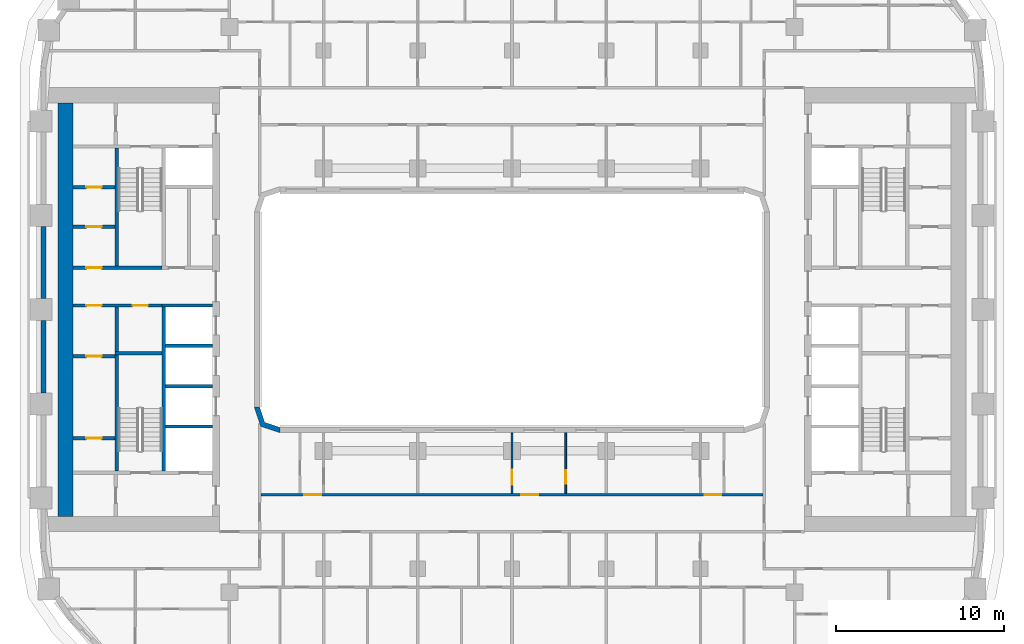
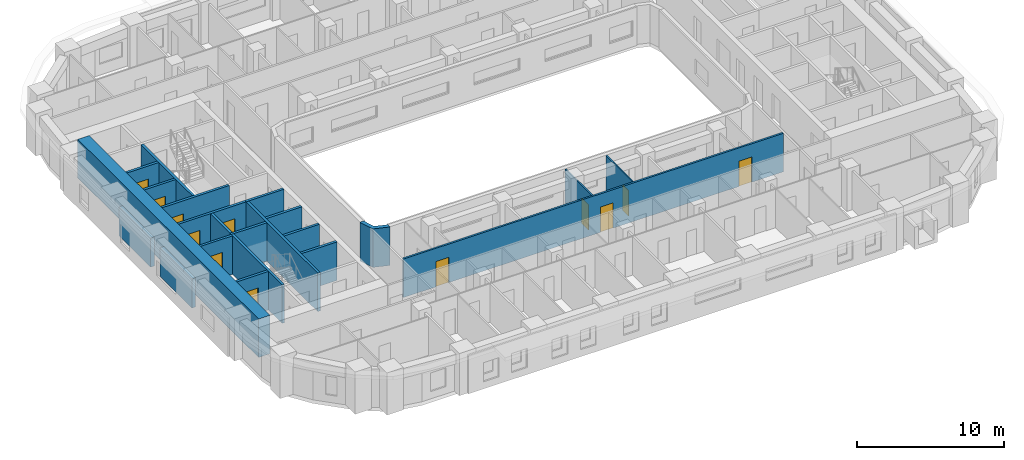
# One storey, part 4 of 23: 22 walls, 12 doors, 12 openings.
"""IFC4 building model written with IfcOpenShell, lengths in metres."""

from ifc_helpers import new_model, si_unit, direction, frame, frame_2d, origin, place, context, subcontext, project, spatial, polyline, rectangle, outline, extrude, material, layer, layer_set, type_object, element, fill, save


model = new_model("IFC4")

# Units and contexts
model_context = context("Model", 3, precision=1e-05, world=origin(), true_north=direction((0.0, 1.0)))
body_context = subcontext(model_context, "Body", "Model", "MODEL_VIEW")
ifc_project = project(units=[si_unit("LENGTHUNIT", "METRE"), si_unit("AREAUNIT", "SQUARE_METRE"), si_unit("VOLUMEUNIT", "CUBIC_METRE"), si_unit("PLANEANGLEUNIT", "RADIAN"), si_unit("MASSUNIT", "GRAM", prefix="KILO")], contexts=[model_context])

# Site, building, storey
site_placement = place(None, origin())
site = spatial("IfcSite", under=ifc_project, at=site_placement, CompositionType="ELEMENT")
building_placement = place(site_placement, origin())
building = spatial("IfcBuilding", under=site, at=building_placement, Name="Kiln Ring Residences", CompositionType="ELEMENT")
storey_placement = place(building_placement, frame((0.0, 0.0, 86.800048828125)))
storey = spatial("IfcBuildingStorey", under=building, at=storey_placement, Name="L21", CompositionType="ELEMENT", Elevation=86.800048828125)

# Wall
ifc_material_1 = material(Name="Gypsum board on steel studs", Category="steel")
ifc_layer_1 = layer(ifc_material_1, 0.199951171875)
ifc_layer_set_1 = layer_set([ifc_layer_1], Name="CORE-PARTITION-200")
wall_type_1 = type_object("IfcWallType", Name="CORE-PARTITION-200", PredefinedType="PARTITIONING", material=ifc_layer_set_1)
wall_1_placement = place(storey_placement, frame((-23.5, -2.5, 0.0), z_axis=(0.0, 0.0, 1.0), x_axis=(0.0, 1.0, 0.0)))
element("IfcWall", 1, at=wall_1_placement, inside=storey, type_object=wall_type_1, Name="Core partition west L21 1", PredefinedType="PARTITIONING", context=body_context, shape_type="SweptSolid", body=[
    extrude(rectangle(XDim=2.64990234375, YDim=0.199951171875, at=frame_2d((1.324951171875, 0.0))), origin(), (0.0, 0.0, 1.0), 3.199951171875),
])

# Wall, openings, doors
wall_2_placement = place(storey_placement, frame((-20.800048828125, 0.25, 0.0), z_axis=(0.0, 0.0, 1.0), x_axis=(-1.0, 0.0, 0.0)))
wall_2 = element("IfcWall", 2, at=wall_2_placement, inside=storey, type_object=wall_type_1, Name="Core partition west L21 2", PredefinedType="PARTITIONING", context=body_context, shape_type="SweptSolid", body=[
    extrude(rectangle(XDim=5.300048828125, YDim=0.199951171875, at=frame_2d((2.64990234375, 0.0))), origin(), (0.0, 0.0, 1.0), 3.199951171875),
])
opening_1_placement = place(wall_2_placement, frame((0.85009765625, 0.0, 0.0)))
opening_1 = element("IfcOpeningElement", 3, at=opening_1_placement, cuts=wall_2, Name="Opening L21-CW15", PredefinedType="OPENING", context=body_context, shape_type="SweptSolid", body=[
    extrude(rectangle(XDim=0.89990234375, YDim=2.10009765625, at=frame_2d((0.449951171875, 1.050048828125))), frame((0.0, 0.10986328125, 0.0), z_axis=(0.0, -1.0, 0.0), x_axis=(1.0, 0.0, 0.0)), (0.0, 0.0, 1.0), 0.219970703125),
])
opening_2_placement = place(wall_2_placement, frame((3.60009765625, 0.0, 0.0)))
opening_2 = element("IfcOpeningElement", 4, at=opening_2_placement, cuts=wall_2, Name="Opening L21-CW18", PredefinedType="OPENING", context=body_context, shape_type="SweptSolid", body=[
    extrude(rectangle(XDim=0.89990234375, YDim=2.10009765625, at=frame_2d((0.449951171875, 1.050048828125))), frame((0.0, 0.10986328125, 0.0), z_axis=(0.0, -1.0, 0.0), x_axis=(1.0, 0.0, 0.0)), (0.0, 0.0, 1.0), 0.219970703125),
])
ifc_material_2 = material(Name="Steel door leaf", Category="steel")
door_type_1 = type_object("IfcDoorType", Name="CORE-DOOR-ROOM", OperationType="SINGLE_SWING_LEFT", PredefinedType="DOOR", material=ifc_material_2)
door_1_placement = place(opening_1_placement, origin())
door_1 = element("IfcDoor", 5, at=door_1_placement, inside=storey, type_object=door_type_1, Name="Cleaner's store L21-CW15", OperationType="SINGLE_SWING_LEFT", OverallHeight=2.10009765625, OverallWidth=0.89990234375, PredefinedType="DOOR", context=body_context, shape_type="SweptSolid", body=[
    extrude(rectangle(XDim=0.89990234375, YDim=2.10009765625, at=frame_2d((0.449951171875, 1.050048828125))), frame((0.0, 0.02490234375, 0.0), z_axis=(0.0, -1.0, 0.0), x_axis=(1.0, 0.0, 0.0)), (0.0, 0.0, 1.0), 0.050048828125),
])
fill(opening_1, door_1)
door_2_placement = place(opening_2_placement, origin())
door_2 = element("IfcDoor", 6, at=door_2_placement, inside=storey, type_object=door_type_1, Name="Battery room L21-CW18", OperationType="SINGLE_SWING_RIGHT", OverallHeight=2.10009765625, OverallWidth=0.89990234375, PredefinedType="DOOR", context=body_context, shape_type="SweptSolid", body=[
    extrude(rectangle(XDim=0.89990234375, YDim=2.10009765625, at=frame_2d((0.449951171875, 1.050048828125))), frame((0.0, 0.02490234375, 0.0), z_axis=(0.0, -1.0, 0.0), x_axis=(1.0, 0.0, 0.0)), (0.0, 0.0, 1.0), 0.050048828125),
])
fill(opening_2, door_2)

# Wall, opening, door
wall_3_placement = place(storey_placement, frame((-23.60009765625, -7.64990234375, 0.0), z_axis=(0.0, 0.0, 1.0), x_axis=(-1.0, 0.0, 0.0)))
wall_3 = element("IfcWall", 7, at=wall_3_placement, inside=storey, type_object=wall_type_1, Name="Core partition west L21 6", PredefinedType="PARTITIONING", context=body_context, shape_type="SweptSolid", body=[
    extrude(rectangle(XDim=2.5, YDim=0.199951171875, at=frame_2d((1.25, 0.0))), origin(), (0.0, 0.0, 1.0), 3.199951171875),
])
opening_3_placement = place(wall_3_placement, frame((0.800048828125, 0.0, 0.0)))
opening_3 = element("IfcOpeningElement", 8, at=opening_3_placement, cuts=wall_3, Name="Opening L21-CW16", PredefinedType="OPENING", context=body_context, shape_type="SweptSolid", body=[
    extrude(rectangle(XDim=0.89990234375, YDim=2.10009765625, at=frame_2d((0.449951171875, 1.050048828125))), frame((0.0, 0.10986328125, 0.0), z_axis=(0.0, -1.0, 0.0), x_axis=(1.0, 0.0, 0.0)), (0.0, 0.0, 1.0), 0.219970703125),
])
door_3_placement = place(opening_3_placement, origin())
door_3 = element("IfcDoor", 9, at=door_3_placement, inside=storey, type_object=door_type_1, Name="Plant room L21-CW16", OperationType="SINGLE_SWING_LEFT", OverallHeight=2.10009765625, OverallWidth=0.89990234375, PredefinedType="DOOR", context=body_context, shape_type="SweptSolid", body=[
    extrude(rectangle(XDim=0.89990234375, YDim=2.10009765625, at=frame_2d((0.449951171875, 1.050048828125))), frame((0.0, 0.02490234375, 0.0), z_axis=(0.0, -1.0, 0.0), x_axis=(1.0, 0.0, 0.0)), (0.0, 0.0, 1.0), 0.050048828125),
])
fill(opening_3, door_3)

wall_4_placement = place(storey_placement, frame((-23.60009765625, -2.77490234375, 0.0), z_axis=(0.0, 0.0, 1.0), x_axis=(-1.0, 0.0, 0.0)))
wall_4 = element("IfcWall", 10, at=wall_4_placement, inside=storey, type_object=wall_type_1, Name="Core partition west L21 7", PredefinedType="PARTITIONING", context=body_context, shape_type="SweptSolid", body=[
    extrude(rectangle(XDim=2.5, YDim=0.199951171875, at=frame_2d((1.25, 0.0))), origin(), (0.0, 0.0, 1.0), 3.199951171875),
])
opening_4_placement = place(wall_4_placement, frame((0.800048828125, 0.0, 0.0)))
opening_4 = element("IfcOpeningElement", 11, at=opening_4_placement, cuts=wall_4, Name="Opening L21-CW17", PredefinedType="OPENING", context=body_context, shape_type="SweptSolid", body=[
    extrude(rectangle(XDim=0.89990234375, YDim=2.10009765625, at=frame_2d((0.449951171875, 1.050048828125))), frame((0.0, 0.10986328125, 0.0), z_axis=(0.0, -1.0, 0.0), x_axis=(1.0, 0.0, 0.0)), (0.0, 0.0, 1.0), 0.219970703125),
])
door_4_placement = place(opening_4_placement, origin())
door_4 = element("IfcDoor", 12, at=door_4_placement, inside=storey, type_object=door_type_1, Name="Battery room L21-CW17", OperationType="SINGLE_SWING_RIGHT", OverallHeight=2.10009765625, OverallWidth=0.89990234375, PredefinedType="DOOR", context=body_context, shape_type="SweptSolid", body=[
    extrude(rectangle(XDim=0.89990234375, YDim=2.10009765625, at=frame_2d((0.449951171875, 1.050048828125))), frame((0.0, 0.02490234375, 0.0), z_axis=(0.0, -1.0, 0.0), x_axis=(1.0, 0.0, 0.0)), (0.0, 0.0, 1.0), 0.050048828125),
])
fill(opening_4, door_4)

wall_5_placement = place(storey_placement, frame((-23.60009765625, 4.933349609375, 0.0), z_axis=(0.0, 0.0, 1.0), x_axis=(-1.0, 0.0, 0.0)))
wall_5 = element("IfcWall", 13, at=wall_5_placement, inside=storey, type_object=wall_type_1, Name="Core partition west L21 8", PredefinedType="PARTITIONING", context=body_context, shape_type="SweptSolid", body=[
    extrude(rectangle(XDim=2.5, YDim=0.199951171875, at=frame_2d((1.25, 0.0))), origin(), (0.0, 0.0, 1.0), 3.199951171875),
])
opening_5_placement = place(wall_5_placement, frame((0.800048828125, 0.0, 0.0)))
opening_5 = element("IfcOpeningElement", 14, at=opening_5_placement, cuts=wall_5, Name="Opening L21-CW19", PredefinedType="OPENING", context=body_context, shape_type="SweptSolid", body=[
    extrude(rectangle(XDim=0.89990234375, YDim=2.10009765625, at=frame_2d((0.449951171875, 1.050048828125))), frame((0.0, 0.10986328125, 0.0), z_axis=(0.0, -1.0, 0.0), x_axis=(1.0, 0.0, 0.0)), (0.0, 0.0, 1.0), 0.219970703125),
])
door_5_placement = place(opening_5_placement, origin())
door_5 = element("IfcDoor", 15, at=door_5_placement, inside=storey, type_object=door_type_1, Name="Electrical plant room L21-CW19", OperationType="SINGLE_SWING_RIGHT", OverallHeight=2.10009765625, OverallWidth=0.89990234375, PredefinedType="DOOR", context=body_context, shape_type="SweptSolid", body=[
    extrude(rectangle(XDim=0.89990234375, YDim=2.10009765625, at=frame_2d((0.449951171875, 1.050048828125))), frame((0.0, 0.02490234375, 0.0), z_axis=(0.0, -1.0, 0.0), x_axis=(1.0, 0.0, 0.0)), (0.0, 0.0, 1.0), 0.050048828125),
])
fill(opening_5, door_5)

wall_6_placement = place(storey_placement, frame((-23.60009765625, 7.2666015625, 0.0), z_axis=(0.0, 0.0, 1.0), x_axis=(-1.0, 0.0, 0.0)))
wall_6 = element("IfcWall", 16, at=wall_6_placement, inside=storey, type_object=wall_type_1, Name="Core partition west L21 9", PredefinedType="PARTITIONING", context=body_context, shape_type="SweptSolid", body=[
    extrude(rectangle(XDim=2.5, YDim=0.199951171875, at=frame_2d((1.25, 0.0))), origin(), (0.0, 0.0, 1.0), 3.199951171875),
])
opening_6_placement = place(wall_6_placement, frame((0.800048828125, 0.0, 0.0)))
opening_6 = element("IfcOpeningElement", 17, at=opening_6_placement, cuts=wall_6, Name="Opening L21-CW20", PredefinedType="OPENING", context=body_context, shape_type="SweptSolid", body=[
    extrude(rectangle(XDim=0.89990234375, YDim=2.10009765625, at=frame_2d((0.449951171875, 1.050048828125))), frame((0.0, 0.10986328125, 0.0), z_axis=(0.0, -1.0, 0.0), x_axis=(1.0, 0.0, 0.0)), (0.0, 0.0, 1.0), 0.219970703125),
])
door_6_placement = place(opening_6_placement, origin())
door_6 = element("IfcDoor", 18, at=door_6_placement, inside=storey, type_object=door_type_1, Name="Comms room L21-CW20", OperationType="SINGLE_SWING_LEFT", OverallHeight=2.10009765625, OverallWidth=0.89990234375, PredefinedType="DOOR", context=body_context, shape_type="SweptSolid", body=[
    extrude(rectangle(XDim=0.89990234375, YDim=2.10009765625, at=frame_2d((0.449951171875, 1.050048828125))), frame((0.0, 0.02490234375, 0.0), z_axis=(0.0, -1.0, 0.0), x_axis=(1.0, 0.0, 0.0)), (0.0, 0.0, 1.0), 0.050048828125),
])
fill(opening_6, door_6)

# Walls
ifc_material_3 = material(Name="Gypsum shaft wall system")
ifc_layer_2 = layer(ifc_material_3, 0.199951171875)
ifc_layer_set_2 = layer_set([ifc_layer_2], Name="CORE-SHAFT-WALL-200")
wall_type_2 = type_object("IfcWallType", Name="CORE-SHAFT-WALL-200", PredefinedType="PARTITIONING", material=ifc_layer_set_2)
for number, where, z_axis, x_axis, name in (
    (19, (-17.800048828125, -6.949951171875, 0.0), (0.0, 0.0, 1.0), (-1.0, 0.0, 0.0), "Core partition west L21 10"),
    (20, (-17.800048828125, -4.550048828125, 0.0), (0.0, 0.0, 1.0), (-1.0, 0.0, 0.0), "Core partition west L21 11"),
    (21, (-17.800048828125, -2.14990234375, 0.0), (0.0, 0.0, 1.0), (-1.0, 0.0, 0.0), "Core partition west L21 12"),
):
    element("IfcWall", number, at=place(storey_placement, frame(where, z_axis=z_axis, x_axis=x_axis)), inside=storey, type_object=wall_type_2, Name=name, PredefinedType="PARTITIONING", context=body_context, shape_type="SweptSolid", body=[
        extrude(rectangle(XDim=2.800048828125, YDim=0.199951171875, at=frame_2d((1.39990234375, 0.0))), origin(), (0.0, 0.0, 1.0), 3.199951171875),
    ])
wall_7_placement = place(storey_placement, frame((-17.800048828125, 0.25, 0.0), z_axis=(0.0, 0.0, 1.0), x_axis=(-1.0, 0.0, 0.0)))
element("IfcWall", 22, at=wall_7_placement, inside=storey, type_object=wall_type_2, Name="Core partition west L21 13", PredefinedType="PARTITIONING", context=body_context, shape_type="SweptSolid", body=[
    extrude(rectangle(XDim=3.0, YDim=0.199951171875, at=frame_2d((1.5, 0.0))), origin(), (0.0, 0.0, 1.0), 3.199951171875),
])
ifc_material_4 = material(Name="Concrete C40/50", Category="concrete")
ifc_layer_3 = layer(ifc_material_4, 0.199951171875)
ifc_layer_set_3 = layer_set([ifc_layer_3], Name="CORE-WALL-RC200")
wall_type_3 = type_object("IfcWallType", Name="CORE-WALL-RC200", PredefinedType="SHEAR", material=ifc_layer_set_3)
wall_8_placement = place(storey_placement, frame((-20.699951171875, -9.60009765625, 0.0), z_axis=(0.0, 0.0, 1.0), x_axis=(0.0, 1.0, 0.0)))
element("IfcWall", 23, at=wall_8_placement, inside=storey, type_object=wall_type_3, Name="Core wall west L21 2", PredefinedType="SHEAR", context=body_context, shape_type="SweptSolid", body=[
    extrude(rectangle(XDim=9.75, YDim=0.199951171875, at=frame_2d((4.875, 0.0))), origin(), (0.0, 0.0, 1.0), 3.199951171875),
])

# Wall, opening, door
wall_9_placement = place(storey_placement, frame((-20.800048828125, 2.5, 0.0), z_axis=(0.0, 0.0, 1.0), x_axis=(-1.0, 0.0, 0.0)))
wall_9 = element("IfcWall", 24, at=wall_9_placement, inside=storey, type_object=wall_type_3, Name="Core wall west L21 3", PredefinedType="SHEAR", context=body_context, shape_type="SweptSolid", body=[
    extrude(rectangle(XDim=5.300048828125, YDim=0.199951171875, at=frame_2d((2.64990234375, 0.0))), origin(), (0.0, 0.0, 1.0), 3.199951171875),
])
opening_7_placement = place(wall_9_placement, frame((3.60009765625, 0.0, 0.0)))
opening_7 = element("IfcOpeningElement", 25, at=opening_7_placement, cuts=wall_9, Name="Opening L21-CW21", PredefinedType="OPENING", context=body_context, shape_type="SweptSolid", body=[
    extrude(rectangle(XDim=0.89990234375, YDim=2.10009765625, at=frame_2d((0.449951171875, 1.050048828125))), frame((0.0, 0.10986328125, 0.0), z_axis=(0.0, -1.0, 0.0), x_axis=(1.0, 0.0, 0.0)), (0.0, 0.0, 1.0), 0.219970703125),
])
door_7_placement = place(opening_7_placement, origin())
door_7 = element("IfcDoor", 26, at=door_7_placement, inside=storey, type_object=door_type_1, Name="UPS room L21-CW21", OperationType="SINGLE_SWING_RIGHT", OverallHeight=2.10009765625, OverallWidth=0.89990234375, PredefinedType="DOOR", context=body_context, shape_type="SweptSolid", body=[
    extrude(rectangle(XDim=0.89990234375, YDim=2.10009765625, at=frame_2d((0.449951171875, 1.050048828125))), frame((0.0, 0.02490234375, 0.0), z_axis=(0.0, -1.0, 0.0), x_axis=(1.0, 0.0, 0.0)), (0.0, 0.0, 1.0), 0.050048828125),
])
fill(opening_7, door_7)

# Walls
wall_10_placement = place(storey_placement, frame((-23.5, 2.60009765625, 0.0), z_axis=(0.0, 0.0, 1.0), x_axis=(0.0, 1.0, 0.0)))
element("IfcWall", 27, at=wall_10_placement, inside=storey, type_object=wall_type_3, Name="Core wall west L21 10", PredefinedType="SHEAR", context=body_context, shape_type="SweptSolid", body=[
    extrude(rectangle(XDim=7.0, YDim=0.199951171875, at=frame_2d((3.5, 0.0))), origin(), (0.0, 0.0, 1.0), 3.199951171875),
])
wall_11_placement = place(storey_placement, frame((-23.5, -9.60009765625, 0.0), z_axis=(0.0, 0.0, 1.0), x_axis=(0.0, 1.0, 0.0)))
element("IfcWall", 28, at=wall_11_placement, inside=storey, type_object=wall_type_3, Name="Core wall west L21 11", PredefinedType="SHEAR", context=body_context, shape_type="SweptSolid", body=[
    extrude(rectangle(XDim=6.900146484375, YDim=0.199951171875, at=frame_2d((3.4501953125, 0.0))), origin(), (0.0, 0.0, 1.0), 3.199951171875),
])
wall_12_placement = place(storey_placement, frame((-20.800048828125, -2.60009765625, 0.0), z_axis=(0.0, 0.0, 1.0), x_axis=(-1.0, 0.0, 0.0)))
element("IfcWall", 29, at=wall_12_placement, inside=storey, type_object=wall_type_3, Name="Core wall west L21 12", PredefinedType="SHEAR", context=body_context, shape_type="SweptSolid", body=[
    extrude(rectangle(XDim=2.800048828125, YDim=0.199951171875, at=frame_2d((1.39990234375, 0.0))), origin(), (0.0, 0.0, 1.0), 3.199951171875),
])
ifc_material_5 = material(Name="Concrete C60/75", Category="concrete")
ifc_layer_4 = layer(ifc_material_5, 0.89990234375)
ifc_layer_set_4 = layer_set([ifc_layer_4], Name="CORE-WALL-RC900")
wall_type_4 = type_object("IfcWallType", Name="CORE-WALL-RC900", PredefinedType="SHEAR", material=ifc_layer_set_4)
wall_13_placement = place(storey_placement, frame((-26.550048828125, -12.300048828125, 0.0), z_axis=(0.0, 0.0, 1.0), x_axis=(0.0, 1.0, 0.0)))
element("IfcWall", 30, at=wall_13_placement, inside=storey, type_object=wall_type_4, Name="Core wall west L21 7", PredefinedType="SHEAR", context=body_context, shape_type="SweptSolid", body=[
    extrude(rectangle(XDim=24.60009765625, YDim=0.89990234375, at=frame_2d((12.300048828125, 0.0))), origin(), (0.0, 0.0, 1.0), 3.199951171875),
])
ifc_material_6 = material(Name="Brick masonry, dark clay brick", Category="masonry")
ifc_layer_5 = layer(ifc_material_6, 0.300048828125)
ifc_layer_set_5 = layer_set([ifc_layer_5], Name="EW-300 BRICK WALL")
wall_type_5 = type_object("IfcWallType", Name="EW-300 BRICK WALL", PredefinedType="SOLIDWALL", material=ifc_layer_set_5)
for number, where, z_axis, x_axis, name in (
    (31, (-27.85009765625, 4.949951171875, 0.0), (0.0, 0.0, 1.0), (0.0, -1.0, 0.0), "Facade wall L21 43"),
    (32, (-27.85009765625, -0.64990234375, 0.0), (0.0, 0.0, 1.0), (0.0, -1.0, 0.0), "Facade wall L21 44"),
):
    element("IfcWall", number, at=place(storey_placement, frame(where, z_axis=z_axis, x_axis=x_axis)), inside=storey, type_object=wall_type_5, Name=name, PredefinedType="SOLIDWALL", context=body_context, shape_type="SweptSolid", body=[
        extrude(rectangle(XDim=4.300048828125, YDim=0.300048828125, at=frame_2d((2.14990234375, 0.0))), origin(), (0.0, 0.0, 1.0), 2.39990234375),
    ])
wall_14_placement = place(storey_placement, origin())
element("IfcWall", 33, at=wall_14_placement, inside=storey, type_object=wall_type_5, Name="Corner wall L21 4", PredefinedType="SOLIDWALL", context=body_context, shape_type="SweptSolid", body=[
    extrude(outline(polyline([(-14.937255859375, -6.937255859375), (-13.8486328125, -7.300048828125), (-13.800048828125, -7.300048828125), (-13.800048828125, -7.0), (-14.699951171875, -6.699951171875), (-15.0, -5.800048828125), (-15.300048828125, -5.800048828125), (-15.300048828125, -5.8486328125), (-14.937255859375, -6.937255859375)])), origin(), (0.0, 0.0, 1.0), 3.199951171875),
])

# Wall, opening, door
ifc_material_7 = material(Name="Gypsum board on steel studs", Category="steel")
ifc_layer_6 = layer(ifc_material_7, 0.10009765625)
ifc_layer_set_6 = layer_set([ifc_layer_6], Name="PARTITION-100")
wall_type_6 = type_object("IfcWallType", Name="PARTITION-100", PredefinedType="PARTITIONING", material=ifc_layer_set_6)
wall_15_placement = place(storey_placement, frame((0.0, -10.925048828125, 0.0), z_axis=(0.0, 0.0, 1.0), x_axis=(0.0, 1.0, 0.0)))
wall_15 = element("IfcWall", 34, at=wall_15_placement, inside=storey, type_object=wall_type_6, Name="Partition 047", PredefinedType="PARTITIONING", context=body_context, shape_type="SweptSolid", body=[
    extrude(rectangle(XDim=3.60498046875, YDim=0.10009765625, at=frame_2d((1.802490234375, 0.0))), origin(), (0.0, 0.0, 1.0), 3.199951171875),
])
opening_8_placement = place(wall_15_placement, frame((0.5048828125, 0.0, 0.0)))
opening_8 = element("IfcOpeningElement", 35, at=opening_8_placement, cuts=wall_15, Name="Opening L21-D048", PredefinedType="OPENING", context=body_context, shape_type="SweptSolid", body=[
    extrude(rectangle(XDim=0.89990234375, YDim=2.10009765625, at=frame_2d((0.449951171875, 1.050048828125))), frame((0.0, 0.06005859375, 0.0), z_axis=(0.0, -1.0, 0.0), x_axis=(1.0, 0.0, 0.0)), (0.0, 0.0, 1.0), 0.1201171875),
])
ifc_material_8 = material(Name="Timber door leaf", Category="wood")
door_type_2 = type_object("IfcDoorType", Name="FLAT-DOOR-900-PL", OperationType="SINGLE_SWING_LEFT", PredefinedType="DOOR", material=ifc_material_8)
door_8_placement = place(opening_8_placement, origin())
door_8 = element("IfcDoor", 36, at=door_8_placement, inside=storey, type_object=door_type_2, Name="Door L21-D048", OperationType="SINGLE_SWING_RIGHT", OverallHeight=2.10009765625, OverallWidth=0.89990234375, PredefinedType="DOOR", context=body_context, shape_type="SweptSolid", body=[
    extrude(rectangle(XDim=0.89990234375, YDim=2.10009765625, at=frame_2d((0.449951171875, 1.050048828125))), frame((0.0, 0.02490234375, 0.0), z_axis=(0.0, -1.0, 0.0), x_axis=(1.0, 0.0, 0.0)), (0.0, 0.0, 1.0), 0.050048828125),
])
fill(opening_8, door_8)

wall_16_placement = place(storey_placement, frame((3.199951171875, -10.925048828125, 0.0), z_axis=(0.0, 0.0, 1.0), x_axis=(0.0, 1.0, 0.0)))
wall_16 = element("IfcWall", 37, at=wall_16_placement, inside=storey, type_object=wall_type_6, Name="Partition 054", PredefinedType="PARTITIONING", context=body_context, shape_type="SweptSolid", body=[
    extrude(rectangle(XDim=3.60498046875, YDim=0.10009765625, at=frame_2d((1.802490234375, 0.0))), origin(), (0.0, 0.0, 1.0), 3.199951171875),
])
opening_9_placement = place(wall_16_placement, frame((0.575927734375, 0.0, 0.0)))
opening_9 = element("IfcOpeningElement", 38, at=opening_9_placement, cuts=wall_16, Name="Opening L21-D047", PredefinedType="OPENING", context=body_context, shape_type="SweptSolid", body=[
    extrude(rectangle(XDim=0.800048828125, YDim=2.10009765625, at=frame_2d((0.39990234375, 1.050048828125))), frame((0.0, 0.06005859375, 0.0), z_axis=(0.0, -1.0, 0.0), x_axis=(1.0, 0.0, 0.0)), (0.0, 0.0, 1.0), 0.1201171875),
])
ifc_material_9 = material(Name="Timber door leaf", Category="wood")
door_type_3 = type_object("IfcDoorType", Name="FLAT-DOOR-800-PL", OperationType="SINGLE_SWING_LEFT", PredefinedType="DOOR", material=ifc_material_9)
door_9_placement = place(opening_9_placement, origin())
door_9 = element("IfcDoor", 39, at=door_9_placement, inside=storey, type_object=door_type_3, Name="Door L21-D047", OperationType="SINGLE_SWING_LEFT", OverallHeight=2.10009765625, OverallWidth=0.800048828125, PredefinedType="DOOR", context=body_context, shape_type="SweptSolid", body=[
    extrude(rectangle(XDim=0.800048828125, YDim=2.10009765625, at=frame_2d((0.39990234375, 1.050048828125))), frame((0.0, 0.02490234375, 0.0), z_axis=(0.0, -1.0, 0.0), x_axis=(1.0, 0.0, 0.0)), (0.0, 0.0, 1.0), 0.050048828125),
])
fill(opening_9, door_9)

# Wall, openings, doors
ifc_material_10 = material(Name="Brick masonry partition", Category="masonry")
ifc_layer_7 = layer(ifc_material_10, 0.14990234375)
ifc_layer_set_7 = layer_set([ifc_layer_7], Name="PARTITION-150-ei60")
wall_type_7 = type_object("IfcWallType", Name="PARTITION-150-ei60", PredefinedType="PARTITIONING", material=ifc_layer_set_7)
wall_17_placement = place(storey_placement, frame((-14.925048828125, -11.0, 0.0), z_axis=(0.0, 0.0, 1.0), x_axis=(1.0, 0.0, 0.0)))
wall_17 = element("IfcWall", 40, at=wall_17_placement, inside=storey, type_object=wall_type_7, Name="Partition 006", PredefinedType="PARTITIONING", context=body_context, shape_type="SweptSolid", body=[
    extrude(rectangle(XDim=29.85009765625, YDim=0.14990234375, at=frame_2d((14.925048828125, 0.0))), origin(), (0.0, 0.0, 1.0), 3.199951171875),
])
opening_10_placement = place(wall_17_placement, frame((2.574951171875, 0.0, 0.0)))
opening_10 = element("IfcOpeningElement", 41, at=opening_10_placement, cuts=wall_17, Name="Opening L21-D043", PredefinedType="OPENING", context=body_context, shape_type="SweptSolid", body=[
    extrude(rectangle(XDim=1.0, YDim=2.10009765625, at=frame_2d((0.5, 1.050048828125))), frame((0.0, 0.0849609375, 0.0), z_axis=(0.0, -1.0, 0.0), x_axis=(1.0, 0.0, 0.0)), (0.0, 0.0, 1.0), 0.169921875),
])
opening_11_placement = place(wall_17_placement, frame((15.47509765625, 0.0, 0.0)))
opening_11 = element("IfcOpeningElement", 42, at=opening_11_placement, cuts=wall_17, Name="Opening L21-D046", PredefinedType="OPENING", context=body_context, shape_type="SweptSolid", body=[
    extrude(rectangle(XDim=1.0, YDim=2.10009765625, at=frame_2d((0.5, 1.050048828125))), frame((0.0, 0.0849609375, 0.0), z_axis=(0.0, -1.0, 0.0), x_axis=(1.0, 0.0, 0.0)), (0.0, 0.0, 1.0), 0.169921875),
])
opening_12_placement = place(wall_17_placement, frame((26.375, 0.0, 0.0)))
opening_12 = element("IfcOpeningElement", 43, at=opening_12_placement, cuts=wall_17, Name="Opening L21-D049", PredefinedType="OPENING", context=body_context, shape_type="SweptSolid", body=[
    extrude(rectangle(XDim=1.0, YDim=2.10009765625, at=frame_2d((0.5, 1.050048828125))), frame((0.0, 0.0849609375, 0.0), z_axis=(0.0, -1.0, 0.0), x_axis=(1.0, 0.0, 0.0)), (0.0, 0.0, 1.0), 0.169921875),
])
ifc_material_11 = material(Name="Steel faced fire door leaf", Category="steel")
door_type_4 = type_object("IfcDoorType", Name="FLAT-DOOR-1000-FR", OperationType="SINGLE_SWING_LEFT", PredefinedType="DOOR", material=ifc_material_11)
door_10_placement = place(opening_10_placement, origin())
door_10 = element("IfcDoor", 44, at=door_10_placement, inside=storey, type_object=door_type_4, Name="Door L21-D043", OperationType="SINGLE_SWING_LEFT", OverallHeight=2.10009765625, OverallWidth=1.0, PredefinedType="DOOR", context=body_context, shape_type="SweptSolid", body=[
    extrude(rectangle(XDim=1.0, YDim=2.10009765625, at=frame_2d((0.5, 1.050048828125))), frame((0.0, 0.02490234375, 0.0), z_axis=(0.0, -1.0, 0.0), x_axis=(1.0, 0.0, 0.0)), (0.0, 0.0, 1.0), 0.050048828125),
])
fill(opening_10, door_10)
door_11_placement = place(opening_11_placement, origin())
door_11 = element("IfcDoor", 45, at=door_11_placement, inside=storey, type_object=door_type_4, Name="Door L21-D046", OperationType="SINGLE_SWING_RIGHT", OverallHeight=2.10009765625, OverallWidth=1.0, PredefinedType="DOOR", context=body_context, shape_type="SweptSolid", body=[
    extrude(rectangle(XDim=1.0, YDim=2.10009765625, at=frame_2d((0.5, 1.050048828125))), frame((0.0, 0.02490234375, 0.0), z_axis=(0.0, -1.0, 0.0), x_axis=(1.0, 0.0, 0.0)), (0.0, 0.0, 1.0), 0.050048828125),
])
fill(opening_11, door_11)
door_12_placement = place(opening_12_placement, origin())
door_12 = element("IfcDoor", 46, at=door_12_placement, inside=storey, type_object=door_type_4, Name="Door L21-D049", OperationType="SINGLE_SWING_LEFT", OverallHeight=2.10009765625, OverallWidth=1.0, PredefinedType="DOOR", context=body_context, shape_type="SweptSolid", body=[
    extrude(rectangle(XDim=1.0, YDim=2.10009765625, at=frame_2d((0.5, 1.050048828125))), frame((0.0, 0.02490234375, 0.0), z_axis=(0.0, -1.0, 0.0), x_axis=(1.0, 0.0, 0.0)), (0.0, 0.0, 1.0), 0.050048828125),
])
fill(opening_12, door_12)

save(model, "model.ifc")
